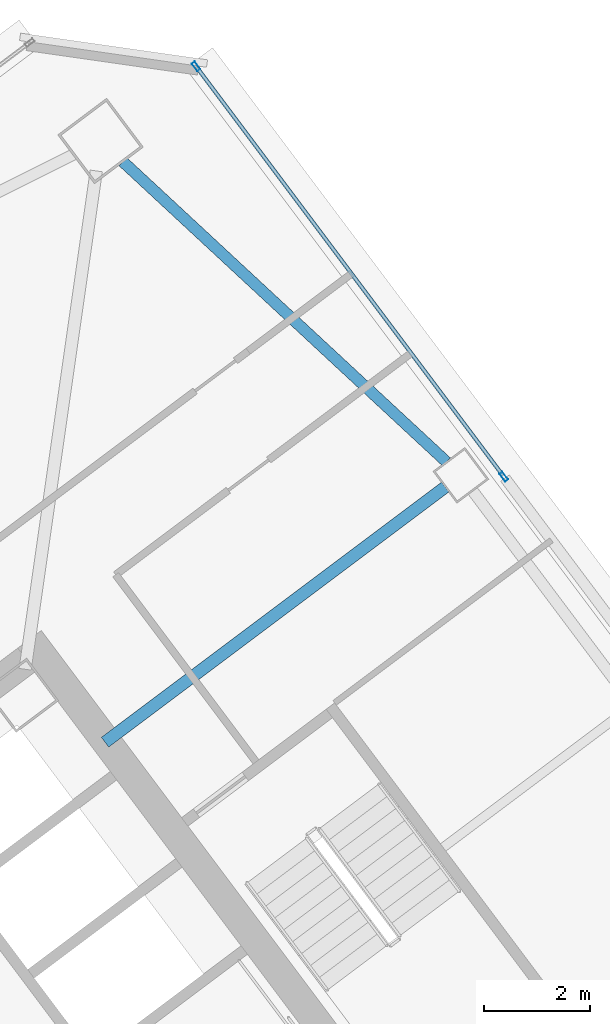
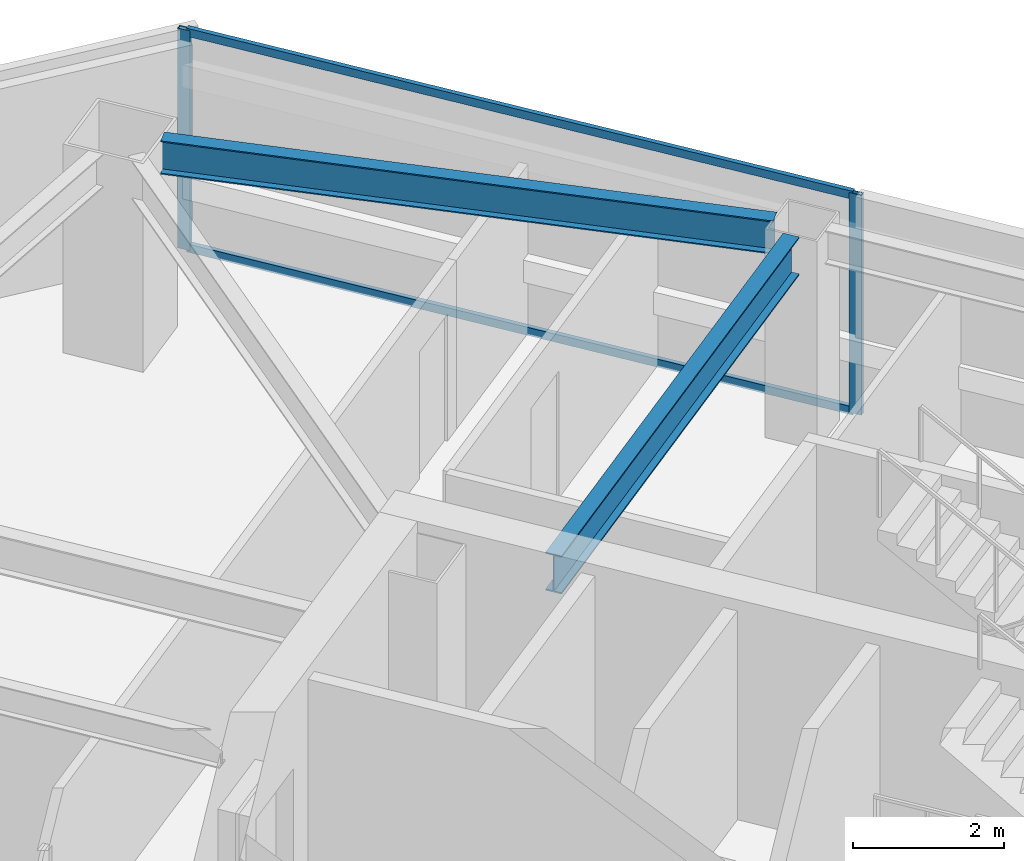
# One storey, part 29 of 41: 4 members, 2 beams, 1 element without a shape of its own.
"""IFC4 building model written with IfcOpenShell, lengths in metres."""

from ifc_helpers import new_model, si_unit, direction, frame, origin, origin_2d, place, context, subcontext, project, spatial, hollow_rectangle, i_section, extrude, material, material_profile, profile_set, type_object, element, aggregate, save


model = new_model("IFC4")

# Units and contexts
model_context = context("Model", 3, precision=1e-05, world=origin(), true_north=direction((0.0, 1.0)))
body_context = subcontext(model_context, "Body", "Model", "MODEL_VIEW")
ifc_project = project(units=[si_unit("LENGTHUNIT", "METRE"), si_unit("AREAUNIT", "SQUARE_METRE"), si_unit("VOLUMEUNIT", "CUBIC_METRE"), si_unit("PLANEANGLEUNIT", "RADIAN"), si_unit("MASSUNIT", "GRAM", prefix="KILO")], contexts=[model_context])

# Site, building, storey
site_placement = place(None, origin())
site = spatial("IfcSite", under=ifc_project, at=site_placement, CompositionType="ELEMENT")
building_placement = place(site_placement, origin())
building = spatial("IfcBuilding", under=site, at=building_placement, Name="Tashvorn Skyway Center", CompositionType="ELEMENT")
storey_placement = place(building_placement, frame((0.0, 0.0, 192.5)))
storey = spatial("IfcBuildingStorey", under=building, at=storey_placement, Name="L52", CompositionType="ELEMENT", Elevation=192.5)

# Beams
ifc_material_1 = material(Name="Steel ASTM A992 Grade 50", Category="steel")
ifc_material_profile_1 = material_profile(ifc_material_1, i_section(OverallWidth=0.22998046875, OverallDepth=0.616943359375, WebThickness=0.01318359375, FlangeThickness=0.022216796875, at=origin_2d()), Name="W24X94")
ifc_profile_set_1 = profile_set([ifc_material_profile_1], Name="Steel ASTM A992 Grade 50")
beam_type_1 = type_object("IfcBeamType", Name="BM-BEAM-W24X94", PredefinedType="BEAM", material=ifc_profile_set_1)
beam_1_placement = place(storey_placement, frame((123.384033203125, 45.7880859375, 3.0615234375), z_axis=(-0.800003662027, -0.599995117266, 0.0), x_axis=(0.599995117266, -0.800003662027, 0.0)))
element("IfcBeam", 1, at=beam_1_placement, inside=storey, type_object=beam_type_1, Name="Tower 2 L52 Primary Floor Girder FC-E2", PredefinedType="BEAM", context=body_context, shape_type="SweptSolid", body=[
    extrude(i_section(OverallWidth=0.22998046875, OverallDepth=0.616943359375, WebThickness=0.01318359375, FlangeThickness=0.022216796875, at=origin_2d()), origin(), (0.0, 0.0, 1.0), 8.000244140625),
])
ifc_material_profile_2 = material_profile(ifc_material_1, i_section(OverallWidth=0.2109375, OverallDepth=0.5390625, WebThickness=0.01171875, FlangeThickness=0.018798828125, at=origin_2d()), Name="W21X73")
ifc_profile_set_2 = profile_set([ifc_material_profile_2], Name="Steel ASTM A992 Grade 50")
beam_type_2 = type_object("IfcBeamType", Name="BM-SPANDREL-W21X73", PredefinedType="SPANDREL", material=ifc_profile_set_2)
beam_2_placement = place(storey_placement, frame((123.40869140625, 46.26171875, 3.1005859375), z_axis=(-0.733101115618, 0.680119661736, 0.0), x_axis=(-0.680119661736, -0.733101115618, 0.0)))
element("IfcBeam", 2, at=beam_2_placement, inside=storey, type_object=beam_type_2, Name="Tower 2 L52 Spandrel Beam 06", PredefinedType="SPANDREL", context=body_context, shape_type="SweptSolid", body=[
    extrude(i_section(OverallWidth=0.2109375, OverallDepth=0.5390625, WebThickness=0.01171875, FlangeThickness=0.018798828125, at=origin_2d()), origin(), (0.0, 0.0, 1.0), 8.308349609375),
])

# Curtain wall, members
ifc_material_2 = material(Name="Thermally broken bronze-anodized aluminium 6063-T6", Category="aluminium")
curtain_wall_type = type_object("IfcCurtainWallType", Name="CW-CW-Z4", PredefinedType="NOTDEFINED", material=ifc_material_2)
curtain_wall_placement = place(storey_placement, origin())
curtain_wall = element("IfcCurtainWall", 3, at=curtain_wall_placement, inside=storey, type_object=curtain_wall_type, Name="Tower 2 L52 East Unitised Curtain Wall Glazing Group 1", PredefinedType="NOTDEFINED")
ifc_material_profile_3 = material_profile(ifc_material_2, hollow_rectangle(XDim=0.070068359375, YDim=0.179931640625, WallThickness=0.00390625, at=origin_2d()), Name="ALU-MULL-70x180")
ifc_profile_set_3 = profile_set([ifc_material_profile_3], Name="Thermally broken bronze-anodized aluminium 6063-T6")
member_type_1 = type_object("IfcMemberType", Name="CWM-CW-Z4", PredefinedType="MULLION", material=ifc_profile_set_3)
member_1_placement = place(storey_placement, frame((118.697021484375, 53.7041015625, 0.0), z_axis=(0.0, 0.0, 1.0), x_axis=(0.799999999998, 0.600000000002, 0.0)))
member_1 = element("IfcMember", 4, at=member_1_placement, type_object=member_type_1, Name="CW-Z4 mullion 1", PredefinedType="MULLION", context=body_context, shape_type="SweptSolid", body=[
    extrude(hollow_rectangle(XDim=0.070068359375, YDim=0.179931640625, WallThickness=0.00390625, at=origin_2d()), origin(), (0.0, 0.0, 1.0), 3.550048828125),
])
member_2_placement = place(storey_placement, frame((124.487060546875, 45.98388671875, 0.0), z_axis=(0.0, 0.0, 1.0), x_axis=(0.799999999998, 0.600000000002, 0.0)))
member_2 = element("IfcMember", 5, at=member_2_placement, type_object=member_type_1, Name="CW-Z4 mullion 2", PredefinedType="MULLION", context=body_context, shape_type="SweptSolid", body=[
    extrude(hollow_rectangle(XDim=0.070068359375, YDim=0.179931640625, WallThickness=0.00390625, at=origin_2d()), origin(), (0.0, 0.0, 1.0), 3.550048828125),
])
ifc_material_profile_4 = material_profile(ifc_material_2, hollow_rectangle(XDim=0.070068359375, YDim=0.1298828125, WallThickness=0.00390625, at=origin_2d()), Name="ALU-TRAN-70x130")
ifc_profile_set_4 = profile_set([ifc_material_profile_4], Name="Thermally broken bronze-anodized aluminium 6063-T6")
member_type_2 = type_object("IfcMemberType", Name="CWT-CW-Z4", PredefinedType="USERDEFINED", material=ifc_profile_set_4)
member_3_placement = place(storey_placement, frame((118.718017578125, 53.676025390625, 0.034912109375), z_axis=(0.6, -0.8, 0.0), x_axis=(0.8, 0.6, 0.0)))
member_3 = element("IfcMember", 6, at=member_3_placement, type_object=member_type_2, Name="CW-Z4 transom 1.1", ObjectType="TRANSOM", PredefinedType="USERDEFINED", context=body_context, shape_type="SweptSolid", body=[
    extrude(hollow_rectangle(XDim=0.070068359375, YDim=0.1298828125, WallThickness=0.00390625, at=origin_2d()), origin(), (0.0, 0.0, 1.0), 9.580078125),
])
member_4_placement = place(storey_placement, frame((118.718017578125, 53.676025390625, 3.514892578125), z_axis=(0.6, -0.8, 0.0), x_axis=(0.8, 0.6, 0.0)))
member_4 = element("IfcMember", 7, at=member_4_placement, type_object=member_type_2, Name="CW-Z4 transom 1.2", ObjectType="TRANSOM", PredefinedType="USERDEFINED", context=body_context, shape_type="SweptSolid", body=[
    extrude(hollow_rectangle(XDim=0.070068359375, YDim=0.1298828125, WallThickness=0.00390625, at=origin_2d()), origin(), (0.0, 0.0, 1.0), 9.580078125),
])
aggregate(curtain_wall, [member_1, member_2, member_3, member_4])

save(model, "model.ifc")
